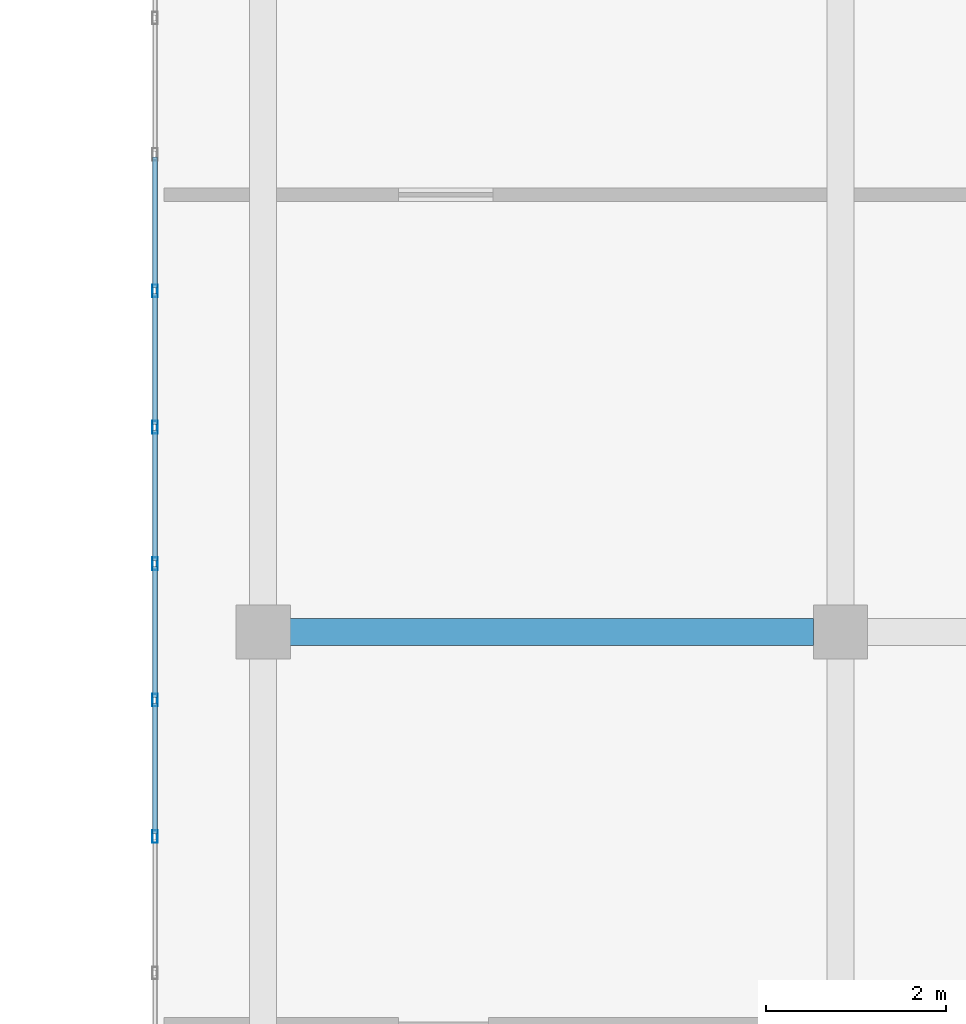
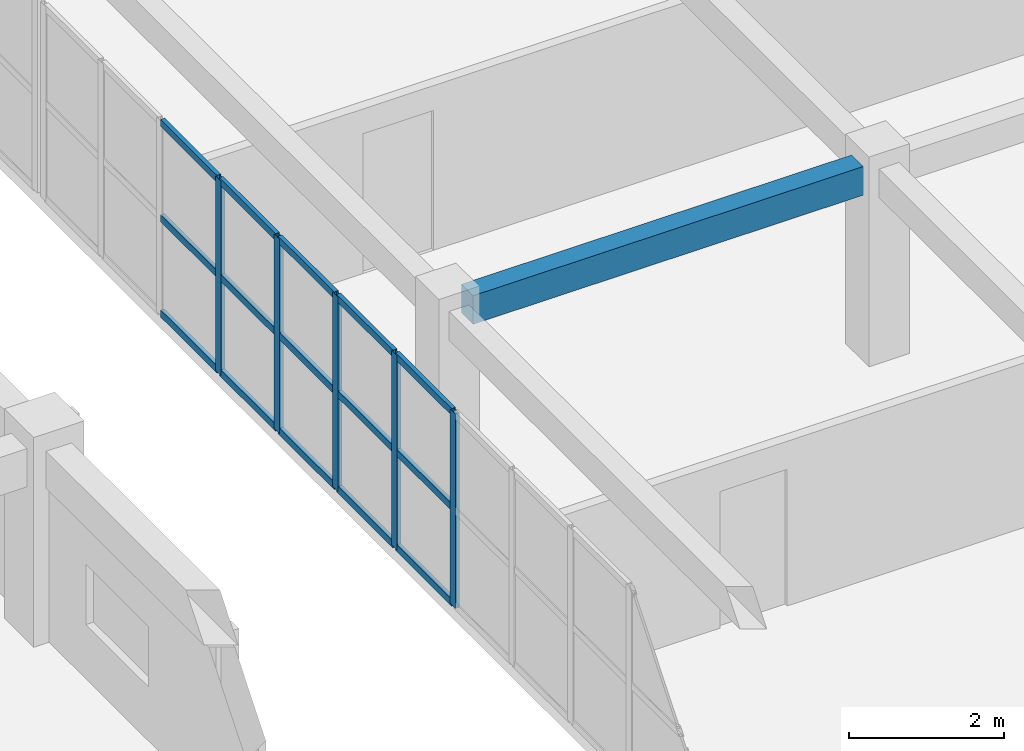
# One storey, part 43 of 200: 20 members, 1 beam, 1 element without a shape of its own.
"""IFC4 building model written with IfcOpenShell, lengths in metres."""

from ifc_helpers import new_model, si_unit, direction, frame, origin, origin_2d, place, context, subcontext, project, spatial, rectangle, hollow_rectangle, extrude, material, layer, layer_set, material_profile, profile_set, type_object, element, aggregate, save


model = new_model("IFC4")

# Units and contexts
model_context = context("Model", 3, precision=1e-05, world=origin(), true_north=direction((0.0, 1.0)))
body_context = subcontext(model_context, "Body", "Model", "MODEL_VIEW")
ifc_project = project(units=[si_unit("LENGTHUNIT", "METRE"), si_unit("AREAUNIT", "SQUARE_METRE"), si_unit("VOLUMEUNIT", "CUBIC_METRE"), si_unit("PLANEANGLEUNIT", "RADIAN"), si_unit("MASSUNIT", "GRAM", prefix="KILO")], contexts=[model_context])

# Site, building, storey
site_placement = place(None, origin())
site = spatial("IfcSite", under=ifc_project, at=site_placement, CompositionType="ELEMENT")
building_placement = place(site_placement, origin())
building = spatial("IfcBuilding", under=site, at=building_placement, Name="Trelvath General Hospital", CompositionType="ELEMENT")
storey_placement = place(building_placement, frame((0.0, 0.0, 4.800048828125)))
storey = spatial("IfcBuildingStorey", under=building, at=storey_placement, Name="L01", CompositionType="ELEMENT", Elevation=4.800048828125)

# Beam
ifc_material_1 = material(Name="Concrete C35/45", Category="concrete")
ifc_material_profile_1 = material_profile(ifc_material_1, rectangle(XDim=0.300048828125, YDim=0.449951171875, at=origin_2d()), Name="RCB300x450")
ifc_profile_set_1 = profile_set([ifc_material_profile_1], Name="Concrete C35/45")
beam_type = type_object("IfcBeamType", Name="Beam RC300x450", PredefinedType="BEAM", material=ifc_profile_set_1)
beam_placement = place(storey_placement, frame((48.2958984375, 58.800048828125, 2.8349609375), z_axis=(1.0, 0.0, 0.0), x_axis=(0.0, 1.0, 0.0)))
element("IfcBeam", 1, at=beam_placement, inside=storey, type_object=beam_type, Name="Cube Interior Ring Beam CUBE-W-T0 L01", PredefinedType="BEAM", context=body_context, shape_type="SweptSolid", body=[
    extrude(rectangle(XDim=0.300048828125, YDim=0.449951171875, at=origin_2d()), origin(), (0.0, 0.0, 1.0), 5.80810546875),
])

# Curtain wall, members
ifc_material_2 = material(Name="Anodised aluminium and low-E glass", Category="aluminium")
ifc_layer = layer(ifc_material_2, 0.14990234375)
ifc_layer_set = layer_set([ifc_layer], Name="Anodised aluminium and low-E glass")
curtain_wall_type = type_object("IfcCurtainWallType", Name="CW CrystalCube 1664 306 15", PredefinedType="USERDEFINED", material=ifc_layer_set)
curtain_wall_placement = place(storey_placement, origin())
curtain_wall = element("IfcCurtainWall", 2, at=curtain_wall_placement, inside=storey, type_object=curtain_wall_type, Name="Crystal Cube Curtain Wall CUBE-W-T0 W4 L01", ObjectType="Unitised Glazed Curtain Wall", PredefinedType="USERDEFINED")
ifc_material_3 = material(Name="Anodised aluminium", Category="aluminium")
ifc_material_profile_2 = material_profile(ifc_material_3, hollow_rectangle(XDim=0.06005859375, YDim=0.139892578125, WallThickness=0.00390625, at=origin_2d()), Name="RHS60x140x4")
ifc_profile_set_2 = profile_set([ifc_material_profile_2], Name="Anodised aluminium")
member_type_1 = type_object("IfcMemberType", Name="CurtainMullion 60x140", PredefinedType="MULLION", material=ifc_profile_set_2)
member_1_placement = place(storey_placement, frame((46.800048828125, 56.531005859375, 0.0), z_axis=(0.0, 0.0, 1.0), x_axis=(-1.0, 0.0, 0.0)))
member_1 = element("IfcMember", 3, at=member_1_placement, type_object=member_type_1, Name="CW-143 mullion 5", PredefinedType="MULLION", context=body_context, shape_type="SweptSolid", body=[
    extrude(hollow_rectangle(XDim=0.06005859375, YDim=0.139892578125, WallThickness=0.00390625, at=origin_2d()), origin(), (0.0, 0.0, 1.0), 3.06005859375),
])
member_2_placement = place(storey_placement, frame((46.800048828125, 58.043701171875, 0.0), z_axis=(0.0, 0.0, 1.0), x_axis=(-1.0, 0.0, 0.0)))
member_2 = element("IfcMember", 4, at=member_2_placement, type_object=member_type_1, Name="CW-143 mullion 6", PredefinedType="MULLION", context=body_context, shape_type="SweptSolid", body=[
    extrude(hollow_rectangle(XDim=0.06005859375, YDim=0.139892578125, WallThickness=0.00390625, at=origin_2d()), origin(), (0.0, 0.0, 1.0), 3.06005859375),
])
member_3_placement = place(storey_placement, frame((46.800048828125, 59.556396484375, 0.0), z_axis=(0.0, 0.0, 1.0), x_axis=(-1.0, 0.0, 0.0)))
member_3 = element("IfcMember", 5, at=member_3_placement, type_object=member_type_1, Name="CW-143 mullion 7", PredefinedType="MULLION", context=body_context, shape_type="SweptSolid", body=[
    extrude(hollow_rectangle(XDim=0.06005859375, YDim=0.139892578125, WallThickness=0.00390625, at=origin_2d()), origin(), (0.0, 0.0, 1.0), 3.06005859375),
])
member_4_placement = place(storey_placement, frame((46.800048828125, 61.069091796875, 0.0), z_axis=(0.0, 0.0, 1.0), x_axis=(-1.0, 0.0, 0.0)))
member_4 = element("IfcMember", 6, at=member_4_placement, type_object=member_type_1, Name="CW-143 mullion 8", PredefinedType="MULLION", context=body_context, shape_type="SweptSolid", body=[
    extrude(hollow_rectangle(XDim=0.06005859375, YDim=0.139892578125, WallThickness=0.00390625, at=origin_2d()), origin(), (0.0, 0.0, 1.0), 3.06005859375),
])
member_5_placement = place(storey_placement, frame((46.800048828125, 62.581787109375, 0.0), z_axis=(0.0, 0.0, 1.0), x_axis=(-1.0, 0.0, 0.0)))
member_5 = element("IfcMember", 7, at=member_5_placement, type_object=member_type_1, Name="CW-143 mullion 9", PredefinedType="MULLION", context=body_context, shape_type="SweptSolid", body=[
    extrude(hollow_rectangle(XDim=0.06005859375, YDim=0.139892578125, WallThickness=0.00390625, at=origin_2d()), origin(), (0.0, 0.0, 1.0), 3.06005859375),
])
ifc_material_4 = material(Name="Anodised aluminium", Category="aluminium")
ifc_material_profile_3 = material_profile(ifc_material_4, hollow_rectangle(XDim=0.06005859375, YDim=0.110107421875, WallThickness=0.00390625, at=origin_2d()), Name="RHS60x110x4")
ifc_profile_set_3 = profile_set([ifc_material_profile_3], Name="Anodised aluminium")
member_type_2 = type_object("IfcMemberType", Name="CurtainTransom 60x110", PredefinedType="USERDEFINED", material=ifc_profile_set_3)
member_6_placement = place(storey_placement, frame((46.800048828125, 56.560791015625, 0.030029296875), z_axis=(0.0, 1.0, 0.0), x_axis=(-1.0, 0.0, 0.0)))
member_6 = element("IfcMember", 8, at=member_6_placement, type_object=member_type_2, Name="CW-143 transom 5.1", ObjectType="TRANSOM", PredefinedType="USERDEFINED", context=body_context, shape_type="SweptSolid", body=[
    extrude(hollow_rectangle(XDim=0.06005859375, YDim=0.110107421875, WallThickness=0.00390625, at=origin_2d()), origin(), (0.0, 0.0, 1.0), 1.452880859375),
])
member_7_placement = place(storey_placement, frame((46.800048828125, 56.560791015625, 1.530029296875), z_axis=(0.0, 1.0, 0.0), x_axis=(-1.0, 0.0, 0.0)))
member_7 = element("IfcMember", 9, at=member_7_placement, type_object=member_type_2, Name="CW-143 transom 5.2", ObjectType="TRANSOM", PredefinedType="USERDEFINED", context=body_context, shape_type="SweptSolid", body=[
    extrude(hollow_rectangle(XDim=0.06005859375, YDim=0.110107421875, WallThickness=0.00390625, at=origin_2d()), origin(), (0.0, 0.0, 1.0), 1.452880859375),
])
member_8_placement = place(storey_placement, frame((46.800048828125, 56.560791015625, 3.030029296875), z_axis=(0.0, 1.0, 0.0), x_axis=(-1.0, 0.0, 0.0)))
member_8 = element("IfcMember", 10, at=member_8_placement, type_object=member_type_2, Name="CW-143 transom 5.3", ObjectType="TRANSOM", PredefinedType="USERDEFINED", context=body_context, shape_type="SweptSolid", body=[
    extrude(hollow_rectangle(XDim=0.06005859375, YDim=0.110107421875, WallThickness=0.00390625, at=origin_2d()), origin(), (0.0, 0.0, 1.0), 1.452880859375),
])
member_9_placement = place(storey_placement, frame((46.800048828125, 58.07373046875, 0.030029296875), z_axis=(0.0, 1.0, 0.0), x_axis=(-1.0, 0.0, 0.0)))
member_9 = element("IfcMember", 11, at=member_9_placement, type_object=member_type_2, Name="CW-143 transom 6.1", ObjectType="TRANSOM", PredefinedType="USERDEFINED", context=body_context, shape_type="SweptSolid", body=[
    extrude(hollow_rectangle(XDim=0.06005859375, YDim=0.110107421875, WallThickness=0.00390625, at=origin_2d()), origin(), (0.0, 0.0, 1.0), 1.45263671875),
])
member_10_placement = place(storey_placement, frame((46.800048828125, 58.07373046875, 1.530029296875), z_axis=(0.0, 1.0, 0.0), x_axis=(-1.0, 0.0, 0.0)))
member_10 = element("IfcMember", 12, at=member_10_placement, type_object=member_type_2, Name="CW-143 transom 6.2", ObjectType="TRANSOM", PredefinedType="USERDEFINED", context=body_context, shape_type="SweptSolid", body=[
    extrude(hollow_rectangle(XDim=0.06005859375, YDim=0.110107421875, WallThickness=0.00390625, at=origin_2d()), origin(), (0.0, 0.0, 1.0), 1.45263671875),
])
member_11_placement = place(storey_placement, frame((46.800048828125, 58.07373046875, 3.030029296875), z_axis=(0.0, 1.0, 0.0), x_axis=(-1.0, 0.0, 0.0)))
member_11 = element("IfcMember", 13, at=member_11_placement, type_object=member_type_2, Name="CW-143 transom 6.3", ObjectType="TRANSOM", PredefinedType="USERDEFINED", context=body_context, shape_type="SweptSolid", body=[
    extrude(hollow_rectangle(XDim=0.06005859375, YDim=0.110107421875, WallThickness=0.00390625, at=origin_2d()), origin(), (0.0, 0.0, 1.0), 1.45263671875),
])
member_12_placement = place(storey_placement, frame((46.800048828125, 59.58642578125, 0.030029296875), z_axis=(0.0, 1.0, 0.0), x_axis=(-1.0, 0.0, 0.0)))
member_12 = element("IfcMember", 14, at=member_12_placement, type_object=member_type_2, Name="CW-143 transom 7.1", ObjectType="TRANSOM", PredefinedType="USERDEFINED", context=body_context, shape_type="SweptSolid", body=[
    extrude(hollow_rectangle(XDim=0.06005859375, YDim=0.110107421875, WallThickness=0.00390625, at=origin_2d()), origin(), (0.0, 0.0, 1.0), 1.45263671875),
])
member_13_placement = place(storey_placement, frame((46.800048828125, 59.58642578125, 1.530029296875), z_axis=(0.0, 1.0, 0.0), x_axis=(-1.0, 0.0, 0.0)))
member_13 = element("IfcMember", 15, at=member_13_placement, type_object=member_type_2, Name="CW-143 transom 7.2", ObjectType="TRANSOM", PredefinedType="USERDEFINED", context=body_context, shape_type="SweptSolid", body=[
    extrude(hollow_rectangle(XDim=0.06005859375, YDim=0.110107421875, WallThickness=0.00390625, at=origin_2d()), origin(), (0.0, 0.0, 1.0), 1.45263671875),
])
member_14_placement = place(storey_placement, frame((46.800048828125, 59.58642578125, 3.030029296875), z_axis=(0.0, 1.0, 0.0), x_axis=(-1.0, 0.0, 0.0)))
member_14 = element("IfcMember", 16, at=member_14_placement, type_object=member_type_2, Name="CW-143 transom 7.3", ObjectType="TRANSOM", PredefinedType="USERDEFINED", context=body_context, shape_type="SweptSolid", body=[
    extrude(hollow_rectangle(XDim=0.06005859375, YDim=0.110107421875, WallThickness=0.00390625, at=origin_2d()), origin(), (0.0, 0.0, 1.0), 1.45263671875),
])
member_15_placement = place(storey_placement, frame((46.800048828125, 61.09912109375, 0.030029296875), z_axis=(0.0, 1.0, 0.0), x_axis=(-1.0, 0.0, 0.0)))
member_15 = element("IfcMember", 17, at=member_15_placement, type_object=member_type_2, Name="CW-143 transom 8.1", ObjectType="TRANSOM", PredefinedType="USERDEFINED", context=body_context, shape_type="SweptSolid", body=[
    extrude(hollow_rectangle(XDim=0.06005859375, YDim=0.110107421875, WallThickness=0.00390625, at=origin_2d()), origin(), (0.0, 0.0, 1.0), 1.45263671875),
])
member_16_placement = place(storey_placement, frame((46.800048828125, 61.09912109375, 1.530029296875), z_axis=(0.0, 1.0, 0.0), x_axis=(-1.0, 0.0, 0.0)))
member_16 = element("IfcMember", 18, at=member_16_placement, type_object=member_type_2, Name="CW-143 transom 8.2", ObjectType="TRANSOM", PredefinedType="USERDEFINED", context=body_context, shape_type="SweptSolid", body=[
    extrude(hollow_rectangle(XDim=0.06005859375, YDim=0.110107421875, WallThickness=0.00390625, at=origin_2d()), origin(), (0.0, 0.0, 1.0), 1.45263671875),
])
member_17_placement = place(storey_placement, frame((46.800048828125, 61.09912109375, 3.030029296875), z_axis=(0.0, 1.0, 0.0), x_axis=(-1.0, 0.0, 0.0)))
member_17 = element("IfcMember", 19, at=member_17_placement, type_object=member_type_2, Name="CW-143 transom 8.3", ObjectType="TRANSOM", PredefinedType="USERDEFINED", context=body_context, shape_type="SweptSolid", body=[
    extrude(hollow_rectangle(XDim=0.06005859375, YDim=0.110107421875, WallThickness=0.00390625, at=origin_2d()), origin(), (0.0, 0.0, 1.0), 1.45263671875),
])
member_18_placement = place(storey_placement, frame((46.800048828125, 62.61181640625, 0.030029296875), z_axis=(0.0, 1.0, 0.0), x_axis=(-1.0, 0.0, 0.0)))
member_18 = element("IfcMember", 20, at=member_18_placement, type_object=member_type_2, Name="CW-143 transom 9.1", ObjectType="TRANSOM", PredefinedType="USERDEFINED", context=body_context, shape_type="SweptSolid", body=[
    extrude(hollow_rectangle(XDim=0.06005859375, YDim=0.110107421875, WallThickness=0.00390625, at=origin_2d()), origin(), (0.0, 0.0, 1.0), 1.45263671875),
])
member_19_placement = place(storey_placement, frame((46.800048828125, 62.61181640625, 1.530029296875), z_axis=(0.0, 1.0, 0.0), x_axis=(-1.0, 0.0, 0.0)))
member_19 = element("IfcMember", 21, at=member_19_placement, type_object=member_type_2, Name="CW-143 transom 9.2", ObjectType="TRANSOM", PredefinedType="USERDEFINED", context=body_context, shape_type="SweptSolid", body=[
    extrude(hollow_rectangle(XDim=0.06005859375, YDim=0.110107421875, WallThickness=0.00390625, at=origin_2d()), origin(), (0.0, 0.0, 1.0), 1.45263671875),
])
member_20_placement = place(storey_placement, frame((46.800048828125, 62.61181640625, 3.030029296875), z_axis=(0.0, 1.0, 0.0), x_axis=(-1.0, 0.0, 0.0)))
member_20 = element("IfcMember", 22, at=member_20_placement, type_object=member_type_2, Name="CW-143 transom 9.3", ObjectType="TRANSOM", PredefinedType="USERDEFINED", context=body_context, shape_type="SweptSolid", body=[
    extrude(hollow_rectangle(XDim=0.06005859375, YDim=0.110107421875, WallThickness=0.00390625, at=origin_2d()), origin(), (0.0, 0.0, 1.0), 1.45263671875),
])
aggregate(curtain_wall, [member_1, member_2, member_3, member_4, member_5, member_6, member_7, member_8, member_9, member_10, member_11, member_12, member_13, member_14, member_15, member_16, member_17, member_18, member_19, member_20])

save(model, "model.ifc")
